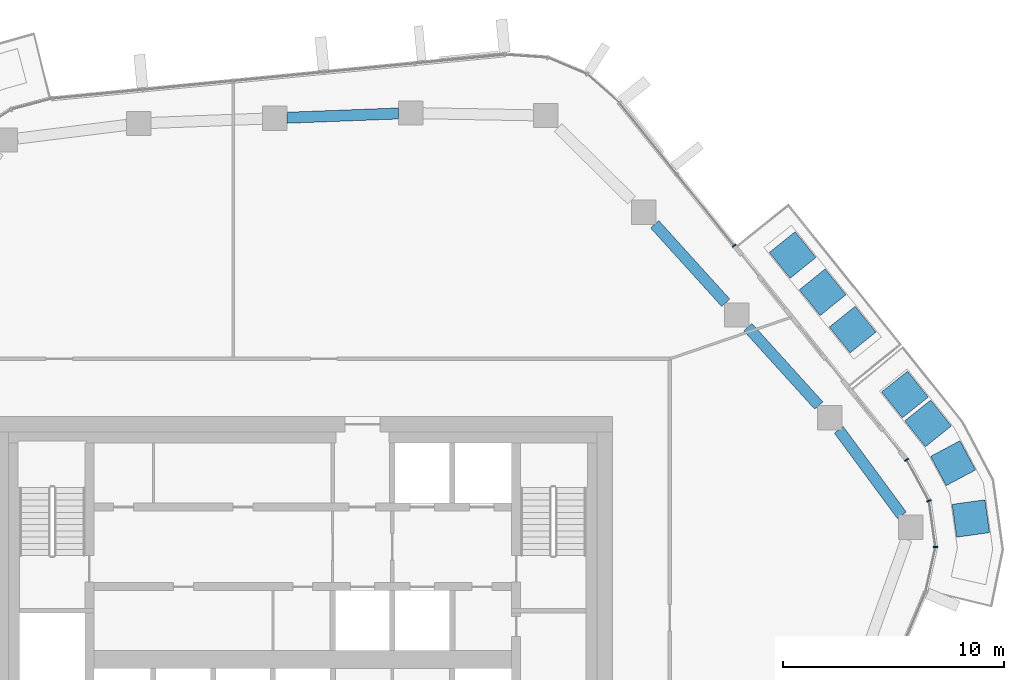
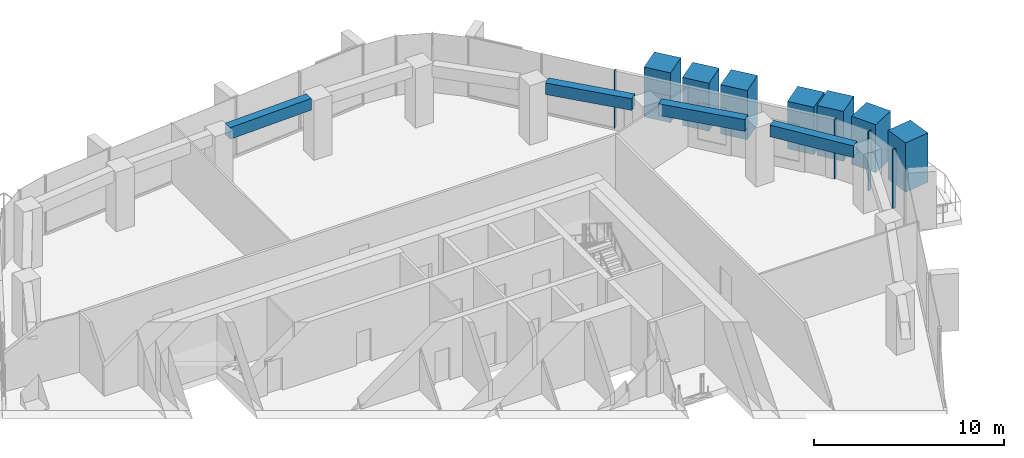
# One storey, part 8 of 20: 11 members, 4 beams, 2 elements without a shape of their own.
"""IFC4 building model written with IfcOpenShell, lengths in metres."""

import ifcopenshell
import ifcopenshell.guid

model = None  # the IFC model being written
_history = None  # IfcOwnerHistory: only IFC2X3 demands one
_inside = {}  # id of a spatial element -> (the spatial element, [elements in it])
_under = {}  # id of a project, library or spatial element -> (it, [spatial elements below it])
_declared = {}  # id of a project -> (the project, [libraries it declares])
_typed = {}  # id of a type object -> (the type object, [elements of that type])
_made_of = {}  # id of a material, layer set ... -> (it, [elements and type objects made of it])


def new_model(schema):
    """Start an empty IFC model of exactly this schema.

    Asked for "IFC4X3", IfcOpenShell would pick the latest addendum, in which some entities
    have other attributes; the version numbers below select the first issue.
    IFC2X3 requires an IfcOwnerHistory on every rooted entity: one is made here for all.
    """
    global model, _history
    if schema == "IFC4X3":
        model = ifcopenshell.file(schema_version=(4, 3, 0, 0))
    else:
        model = ifcopenshell.file(schema=schema)
    _inside.clear()
    _under.clear()
    _declared.clear()
    _typed.clear()
    _made_of.clear()
    _history = None
    if model.schema == "IFC2X3":
        org = make("IfcOrganization", Name="unknown")
        user = make(
            "IfcPersonAndOrganization",
            ThePerson=make("IfcPerson", FamilyName="unknown"),
            TheOrganization=org,
        )
        app = make(
            "IfcApplication",
            ApplicationDeveloper=org,
            Version="unknown",
            ApplicationFullName="unknown",
            ApplicationIdentifier="unknown",
        )
        _history = make(
            "IfcOwnerHistory",
            OwningUser=user,
            OwningApplication=app,
            ChangeAction="ADDED",
            CreationDate=0,
        )
    return model


def make(cls, **values):
    """One entity of the class cls with the attributes given. An attribute that is None is left unset."""
    return model.create_entity(
        cls, **{name: value for name, value in values.items() if value is not None}
    )


def rooted(cls, **values):
    """An entity with a GlobalId (a new one), such as an element, a storey or a relation."""
    return make(cls, GlobalId=ifcopenshell.guid.new(), OwnerHistory=_history, **values)


def si_unit(unit_type, name, prefix=None):
    """IfcSIUnit, for example si_unit("LENGTHUNIT", "METRE", prefix="MILLI")."""
    return make("IfcSIUnit", UnitType=unit_type, Prefix=prefix, Name=name)


def assignment(units):
    """IfcUnitAssignment: the units of a project."""
    return None if units is None else make("IfcUnitAssignment", Units=units)


def point(xyz):
    """IfcCartesianPoint."""
    return None if xyz is None else make("IfcCartesianPoint", Coordinates=xyz)


def direction(xyz):
    """IfcDirection."""
    return None if xyz is None else make("IfcDirection", DirectionRatios=xyz)


def frame(location, z_axis=None, x_axis=None):
    """IfcAxis2Placement3D, a coordinate frame: its origin and axes. An axis left out is left unset."""
    return make(
        "IfcAxis2Placement3D",
        Location=point(location),
        Axis=direction(z_axis),
        RefDirection=direction(x_axis),
    )


def frame_2d(location, x_axis=None):
    """IfcAxis2Placement2D, a coordinate frame in the plane: its origin and x axis."""
    return make(
        "IfcAxis2Placement2D", Location=point(location), RefDirection=direction(x_axis)
    )


def origin():
    """The frame at (0, 0, 0) with its axes left unset."""
    return frame((0.0, 0.0, 0.0))


def origin_2d():
    """The frame at (0, 0) in the plane with its x axis left unset."""
    return frame_2d((0.0, 0.0))


def place(relative_to, where):
    """IfcLocalPlacement: puts the frame where relative to a parent placement (None: the world)."""
    return make(
        "IfcLocalPlacement", PlacementRelTo=relative_to, RelativePlacement=where
    )


def context(
    kind, dimensions, precision=None, world=None, true_north=None, identifier=None
):
    """IfcGeometricRepresentationContext, for example the 3D "Model" context."""
    return make(
        "IfcGeometricRepresentationContext",
        ContextIdentifier=identifier,
        ContextType=kind,
        CoordinateSpaceDimension=dimensions,
        Precision=precision,
        WorldCoordinateSystem=world,
        TrueNorth=true_north,
    )


def subcontext(parent, identifier, kind, view, scale=None):
    """IfcGeometricRepresentationSubContext, for example "Body" below "Model"."""
    return make(
        "IfcGeometricRepresentationSubContext",
        ContextIdentifier=identifier,
        ContextType=kind,
        ParentContext=parent,
        TargetScale=scale,
        TargetView=view,
    )


def project(units=None, contexts=None):
    """IfcProject with its units and contexts."""
    return rooted(
        "IfcProject",
        Name="project",
        RepresentationContexts=contexts,
        UnitsInContext=assignment(units),
    )


def spatial(cls, under=None, at=None, **own):
    """A site, building, storey or space (cls), placed at a placement, below another one or the project."""
    s = rooted(cls, ObjectPlacement=at, **own)
    if under is not None:
        _under.setdefault(under.id(), (under, []))[1].append(s)
    return s


def profile(cls, at=None, kind="AREA", **sizes):
    """A parametric profile (cls). Its sizes go by their IFC names, for example OverallWidth=200.0."""
    return make(cls, ProfileType=kind, Position=at, **sizes)


def rectangle(**sizes):
    """IfcRectangleProfileDef."""
    return profile("IfcRectangleProfileDef", **sizes)


def extrude(swept, where, along, depth):
    """IfcExtrudedAreaSolid: the profile swept, set in the frame where, extruded along a direction by depth."""
    return make(
        "IfcExtrudedAreaSolid",
        SweptArea=swept,
        Position=where,
        ExtrudedDirection=direction(along),
        Depth=depth,
    )


def shape(context_of_items, identifier, shape_type, items):
    """IfcShapeRepresentation: the items that make up one representation, for example the "Body"."""
    return make(
        "IfcShapeRepresentation",
        ContextOfItems=context_of_items,
        RepresentationIdentifier=identifier,
        RepresentationType=shape_type,
        Items=items,
    )


def material(Name=None, Category=None):
    """IfcMaterial."""
    return make("IfcMaterial", Name=Name, Category=Category)


def layer(
    of_material, thickness, ventilated=None, Name=None, Category=None, Priority=None
):
    """IfcMaterialLayer: one layer of a wall or slab, of a material (None: an air gap)."""
    return make(
        "IfcMaterialLayer",
        Material=of_material,
        LayerThickness=thickness,
        IsVentilated=ventilated,
        Name=Name,
        Category=Category,
        Priority=Priority,
    )


def layer_set(layers, Name=None):
    """IfcMaterialLayerSet."""
    return make("IfcMaterialLayerSet", MaterialLayers=layers, LayerSetName=Name)


def material_profile(
    of_material, cross_section, Name=None, Category=None, Priority=None
):
    """IfcMaterialProfile: a cross section and its material."""
    return make(
        "IfcMaterialProfile",
        Name=Name,
        Material=of_material,
        Profile=cross_section,
        Priority=Priority,
        Category=Category,
    )


def profile_set(profiles, Name=None, composite=None):
    """IfcMaterialProfileSet."""
    return make(
        "IfcMaterialProfileSet",
        Name=Name,
        MaterialProfiles=profiles,
        CompositeProfile=composite,
    )


def made_of(thing, what):
    """Note that an element or type object is made of a material, layer set ...; save() writes the relation."""
    if what is not None:
        _made_of.setdefault(what.id(), (what, []))[1].append(thing)
    return thing


def type_object(cls, material=None, **own):
    """A type object (cls), such as IfcWallType, which elements share."""
    return made_of(rooted(cls, **own), material)


def element(
    cls,
    number,
    at=None,
    inside=None,
    cuts=None,
    type_object=None,
    material=None,
    context=None,
    identifier="Body",
    shape_type=None,
    held_by="IfcProductDefinitionShape",
    body=None,
    shapes=None,
    **own,
):
    """One element of the class cls, such as IfcWall. Its Tag is "e" and its number.

    at: its placement. inside: the storey or other place that contains it. cuts: it is an
    opening in that element (IfcRelVoidsElement). A single representation is given by context,
    identifier, shape_type and body (its items); several are given by shapes. held_by: the class
    of the entity that holds the representations. save() writes the other relations.
    """
    e = rooted(cls, Tag="e%d" % number, ObjectPlacement=at, **own)
    if body is not None:
        shapes = [shape(context, identifier, shape_type, body)]
    if shapes is not None:
        e.Representation = make(held_by, Representations=shapes)
    if inside is not None:
        _inside.setdefault(inside.id(), (inside, []))[1].append(e)
    if cuts is not None:
        rooted(
            "IfcRelVoidsElement", RelatingBuildingElement=cuts, RelatedOpeningElement=e
        )
    if type_object is not None:
        _typed.setdefault(type_object.id(), (type_object, []))[1].append(e)
    return made_of(e, material)


def aggregate(whole, parts):
    """IfcRelAggregates: a whole, such as a stair, and the parts it consists of."""
    return rooted("IfcRelAggregates", RelatingObject=whole, RelatedObjects=parts)


def save(model, path):
    """Write the relations noted so far, then the file.

    IfcRelAggregates (storeys below a building ...), IfcRelContainedInSpatialStructure (elements
    in a storey), IfcRelDefinesByType, IfcRelAssociatesMaterial and IfcRelDeclares: one each for
    every whole, place, type object, material and project.
    """
    for whole, parts in _under.values():
        aggregate(whole, parts)
    for where, things in _inside.values():
        rooted(
            "IfcRelContainedInSpatialStructure",
            RelatedElements=things,
            RelatingStructure=where,
        )
    for kind, things in _typed.values():
        rooted("IfcRelDefinesByType", RelatedObjects=things, RelatingType=kind)
    for what, things in _made_of.values():
        rooted("IfcRelAssociatesMaterial", RelatedObjects=things, RelatingMaterial=what)
    for by, libraries in _declared.values():
        rooted("IfcRelDeclares", RelatingContext=by, RelatedDefinitions=libraries)
    model.write(path)


model = new_model("IFC4")

# Units and contexts
model_context = context("Model", 3, precision=1e-05, world=origin(), true_north=direction((0.0, 1.0)))
body_context = subcontext(model_context, "Body", "Model", "MODEL_VIEW")
ifc_project = project(units=[si_unit("LENGTHUNIT", "METRE"), si_unit("AREAUNIT", "SQUARE_METRE"), si_unit("VOLUMEUNIT", "CUBIC_METRE"), si_unit("PLANEANGLEUNIT", "RADIAN"), si_unit("MASSUNIT", "GRAM", prefix="KILO")], contexts=[model_context])

# Site, building, storey
site_placement = place(None, origin())
site = spatial("IfcSite", under=ifc_project, at=site_placement, CompositionType="ELEMENT")
building_placement = place(site_placement, origin())
building = spatial("IfcBuilding", under=site, at=building_placement, Name="Dongbaek Canopy Tower", CompositionType="ELEMENT")
storey_placement = place(building_placement, frame((0.0, 0.0, 258.0)))
storey = spatial("IfcBuildingStorey", under=building, at=storey_placement, Name="L54", CompositionType="ELEMENT", Elevation=258.0)

# Curtain wall, members
ifc_material_1 = material(Name="Aluminium 6063-T6 pale anodised", Category="aluminium")
ifc_layer = layer(ifc_material_1, 0.199951171875)
ifc_layer_set = layer_set([ifc_layer], Name="CW-1 unitised tower curtain wall")
curtain_wall_type = type_object("IfcCurtainWallType", Name="CW-1 unitised tower curtain wall", PredefinedType="NOTDEFINED", material=ifc_layer_set)
curtain_wall_1_placement = place(storey_placement, origin())
curtain_wall_1 = element("IfcCurtainWall", 1, at=curtain_wall_1_placement, inside=storey, type_object=curtain_wall_type, Name="CW-1 curtain wall K0.1", PredefinedType="NOTDEFINED")
ifc_material_2 = material(Name="Aluminium 6063-T6 pale anodised", Category="aluminium")
ifc_material_profile_1 = material_profile(ifc_material_2, rectangle(XDim=0.199951171875, YDim=0.06005859375, at=origin_2d()), Name="CW-1 mullion 60 x 200")
ifc_profile_set_1 = profile_set([ifc_material_profile_1], Name="Aluminium 6063-T6 pale anodised")
member_type_1 = type_object("IfcMemberType", Name="CW-1 mullion 60 x 200", PredefinedType="MULLION", material=ifc_profile_set_1)
member_1_placement = place(storey_placement, frame((28.6083984375, 5.092529296875, 0.0), z_axis=(0.0, 0.0, 1.0), x_axis=(0.999216876817, -0.039568081642, 0.0)))
member_1 = element("IfcMember", 2, at=member_1_placement, type_object=member_type_1, Name="CW-1 mullion K0.1.2", PredefinedType="MULLION", context=body_context, shape_type="SweptSolid", body=[
    extrude(rectangle(XDim=0.199951171875, YDim=0.06005859375, at=origin_2d()), origin(), (0.0, 0.0, 1.0), 3.820068359375),
])
member_2_placement = place(storey_placement, frame((28.315673828125, 7.175537109375, 0.0), z_axis=(0.0, 0.0, 1.0), x_axis=(0.949557837382, 0.313591953765, 0.0)))
member_2 = element("IfcMember", 3, at=member_2_placement, type_object=member_type_1, Name="CW-1 mullion K0.1.3", PredefinedType="MULLION", context=body_context, shape_type="SweptSolid", body=[
    extrude(rectangle(XDim=0.199951171875, YDim=0.06005859375, at=origin_2d()), origin(), (0.0, 0.0, 1.0), 3.820068359375),
])
member_3_placement = place(storey_placement, frame((27.305908203125, 9.031494140625, 0.0), z_axis=(0.0, 0.0, 1.0), x_axis=(0.878420510508, 0.477888487745, 0.0)))
member_3 = element("IfcMember", 4, at=member_3_placement, type_object=member_type_1, Name="CW-1 mullion K0.1.4", PredefinedType="MULLION", context=body_context, shape_type="SweptSolid", body=[
    extrude(rectangle(XDim=0.199951171875, YDim=0.06005859375, at=origin_2d()), origin(), (0.0, 0.0, 1.0), 3.820068359375),
])
aggregate(curtain_wall_1, [member_1, member_2, member_3])

# Curtain wall, member
curtain_wall_2_placement = place(storey_placement, origin())
curtain_wall_2 = element("IfcCurtainWall", 5, at=curtain_wall_2_placement, inside=storey, type_object=curtain_wall_type, Name="CW-1 curtain wall F0.1", PredefinedType="NOTDEFINED")
member_4_placement = place(storey_placement, frame((19.51318359375, 18.717041015625, 0.1201171875), z_axis=(0.0, 0.0, 1.0), x_axis=(0.779126406475, 0.626866846096, 0.0)))
member_4 = element("IfcMember", 6, at=member_4_placement, type_object=member_type_1, Name="CW-1 mullion F0.1.1", PredefinedType="MULLION", context=body_context, shape_type="SweptSolid", body=[
    extrude(rectangle(XDim=0.199951171875, YDim=0.06005859375, at=origin_2d()), origin(), (0.0, 0.0, 1.0), 3.699951171875),
])
aggregate(curtain_wall_2, [member_4])

# Beams
ifc_material_3 = material(Name="Concrete C70", Category="concrete")
ifc_material_profile_2 = material_profile(ifc_material_3, rectangle(XDim=0.5, YDim=0.75, at=origin_2d()), Name="RC EDGE BEAM 500x750 C70")
ifc_profile_set_2 = profile_set([ifc_material_profile_2], Name="Concrete C70")
beam_type = type_object("IfcBeamType", Name="RC EDGE BEAM 500x750 C70", PredefinedType="BEAM", material=ifc_profile_set_2)
beam_1_placement = place(storey_placement, frame((-0.716064453125, 24.5, 3.445068359375), z_axis=(0.999269359521, 0.038219721647, 0.0), x_axis=(-0.038219721647, 0.999269359521, 0.0)))
element("IfcBeam", 7, at=beam_1_placement, inside=storey, type_object=beam_type, Name="EDGEBEAM:L54:15", PredefinedType="BEAM", context=body_context, shape_type="SweptSolid", body=[
    extrude(rectangle(XDim=0.5, YDim=0.75, at=origin_2d()), origin(), (0.0, 0.0, 1.0), 5.052734375),
])
beam_2_placement = place(storey_placement, frame((15.916015625, 19.678955078125, 3.445068359375), z_axis=(0.671330225436, -0.741158369322, 0.0), x_axis=(0.741158369322, 0.671330225436, 0.0)))
element("IfcBeam", 8, at=beam_2_placement, inside=storey, type_object=beam_type, Name="EDGEBEAM:L54:18", PredefinedType="BEAM", context=body_context, shape_type="SweptSolid", body=[
    extrude(rectangle(XDim=0.5, YDim=0.75, at=origin_2d()), origin(), (0.0, 0.0, 1.0), 4.782958984375),
])
beam_3_placement = place(storey_placement, frame((20.123046875, 15.033935546875, 3.445068359375), z_axis=(0.671218045362, -0.741259964911, 0.0), x_axis=(0.741259964911, 0.671218045362, 0.0)))
element("IfcBeam", 9, at=beam_3_placement, inside=storey, type_object=beam_type, Name="EDGEBEAM:L54:19", PredefinedType="BEAM", context=body_context, shape_type="SweptSolid", body=[
    extrude(rectangle(XDim=0.5, YDim=0.75, at=origin_2d()), origin(), (0.0, 0.0, 1.0), 4.7822265625),
])
beam_4_placement = place(storey_placement, frame((24.23681640625, 10.388916015625, 3.445068359375), z_axis=(0.593714292615, -0.804675921564, 0.0), x_axis=(0.804675921564, 0.593714292615, 0.0)))
element("IfcBeam", 10, at=beam_4_placement, inside=storey, type_object=beam_type, Name="EDGEBEAM:L54:20", PredefinedType="BEAM", context=body_context, shape_type="SweptSolid", body=[
    extrude(rectangle(XDim=0.5, YDim=0.75, at=origin_2d()), origin(), (0.0, 0.0, 1.0), 4.79931640625),
])

# Members
ifc_material_4 = material(Name="Concrete C40/50 planter mass with planting", Category="concrete")
ifc_material_profile_3 = material_profile(ifc_material_4, rectangle(XDim=1.5, YDim=1.5, at=origin_2d()), Name="Terrace PLANTER shrub mass 1500 x 1500")
ifc_profile_set_3 = profile_set([ifc_material_profile_3], Name="Concrete C40/50 planter mass with planting")
member_type_2 = type_object("IfcMemberType", Name="Terrace PLANTER shrub mass 1500 x 1500", PredefinedType="USERDEFINED", material=ifc_profile_set_3)
member_5_placement = place(storey_placement, frame((24.864013671875, 14.921875, 0.419921875), z_axis=(0.0, 0.0, 1.0), x_axis=(0.779126406475, 0.626866846096, 0.0)))
element("IfcMember", 11, at=member_5_placement, inside=storey, type_object=member_type_2, Name="Planter shrubs L54 1.1", ObjectType="PLANTER", PredefinedType="USERDEFINED", context=body_context, shape_type="SweptSolid", body=[
    extrude(rectangle(XDim=1.5, YDim=1.5, at=origin_2d()), origin(), (0.0, 0.0, 1.0), 3.170166015625),
])
member_6_placement = place(storey_placement, frame((23.50732421875, 16.6083984375, 0.419921875), z_axis=(0.0, 0.0, 1.0), x_axis=(0.779126406475, 0.626866846096, 0.0)))
element("IfcMember", 12, at=member_6_placement, inside=storey, type_object=member_type_2, Name="Planter shrubs L54 1.2", ObjectType="PLANTER", PredefinedType="USERDEFINED", context=body_context, shape_type="SweptSolid", body=[
    extrude(rectangle(XDim=1.5, YDim=1.5, at=origin_2d()), origin(), (0.0, 0.0, 1.0), 3.090087890625),
])
member_7_placement = place(storey_placement, frame((22.150390625, 18.294677734375, 0.419921875), z_axis=(0.0, 0.0, 1.0), x_axis=(0.779126406475, 0.626866846096, 0.0)))
element("IfcMember", 13, at=member_7_placement, inside=storey, type_object=member_type_2, Name="Planter shrubs L54 1.3", ObjectType="PLANTER", PredefinedType="USERDEFINED", context=body_context, shape_type="SweptSolid", body=[
    extrude(rectangle(XDim=1.5, YDim=1.5, at=origin_2d()), origin(), (0.0, 0.0, 1.0), 3.2099609375),
])
member_8_placement = place(storey_placement, frame((30.207763671875, 6.37939453125, 0.419921875), z_axis=(0.0, 0.0, 1.0), x_axis=(0.990258160445, 0.139243583955, 0.0)))
element("IfcMember", 14, at=member_8_placement, inside=storey, type_object=member_type_2, Name="Planter shrubs L54 5.1", ObjectType="PLANTER", PredefinedType="USERDEFINED", context=body_context, shape_type="SweptSolid", body=[
    extrude(rectangle(XDim=1.5, YDim=1.5, at=origin_2d()), origin(), (0.0, 0.0, 1.0), 3.170166015625),
])
member_9_placement = place(storey_placement, frame((29.40625, 8.880859375, 0.419921875), z_axis=(0.0, 0.0, 1.0), x_axis=(0.882135637681, 0.470995452986, 0.0)))
element("IfcMember", 15, at=member_9_placement, inside=storey, type_object=member_type_2, Name="Planter shrubs L54 5.2", ObjectType="PLANTER", PredefinedType="USERDEFINED", context=body_context, shape_type="SweptSolid", body=[
    extrude(rectangle(XDim=1.5, YDim=1.5, at=origin_2d()), origin(), (0.0, 0.0, 1.0), 3.090087890625),
])
member_10_placement = place(storey_placement, frame((28.2724609375, 10.677490234375, 0.419921875), z_axis=(0.0, 0.0, 1.0), x_axis=(0.780395160614, 0.625286648898, 0.0)))
element("IfcMember", 16, at=member_10_placement, inside=storey, type_object=member_type_2, Name="Planter shrubs L54 5.3", ObjectType="PLANTER", PredefinedType="USERDEFINED", context=body_context, shape_type="SweptSolid", body=[
    extrude(rectangle(XDim=1.5, YDim=1.5, at=origin_2d()), origin(), (0.0, 0.0, 1.0), 3.2099609375),
])
member_11_placement = place(storey_placement, frame((27.2255859375, 11.984130859375, 0.419921875), z_axis=(0.0, 0.0, 1.0), x_axis=(0.780395160614, 0.625286648898, 0.0)))
element("IfcMember", 17, at=member_11_placement, inside=storey, type_object=member_type_2, Name="Planter shrubs L54 5.4", ObjectType="PLANTER", PredefinedType="USERDEFINED", context=body_context, shape_type="SweptSolid", body=[
    extrude(rectangle(XDim=1.5, YDim=1.5, at=origin_2d()), origin(), (0.0, 0.0, 1.0), 3.050048828125),
])

save(model, "model.ifc")
